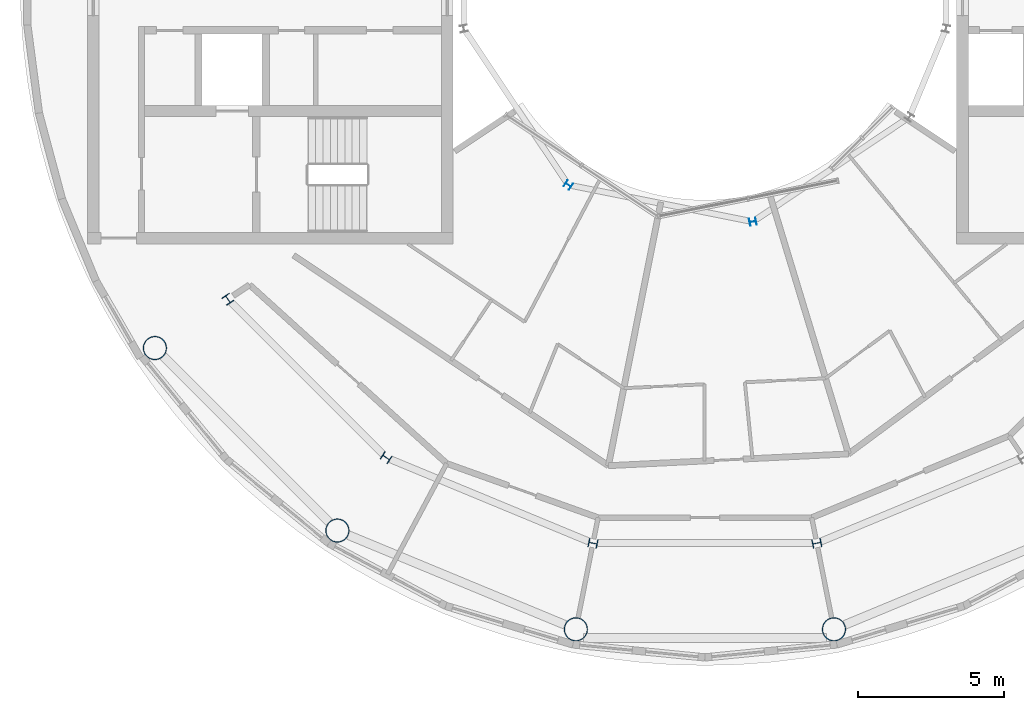
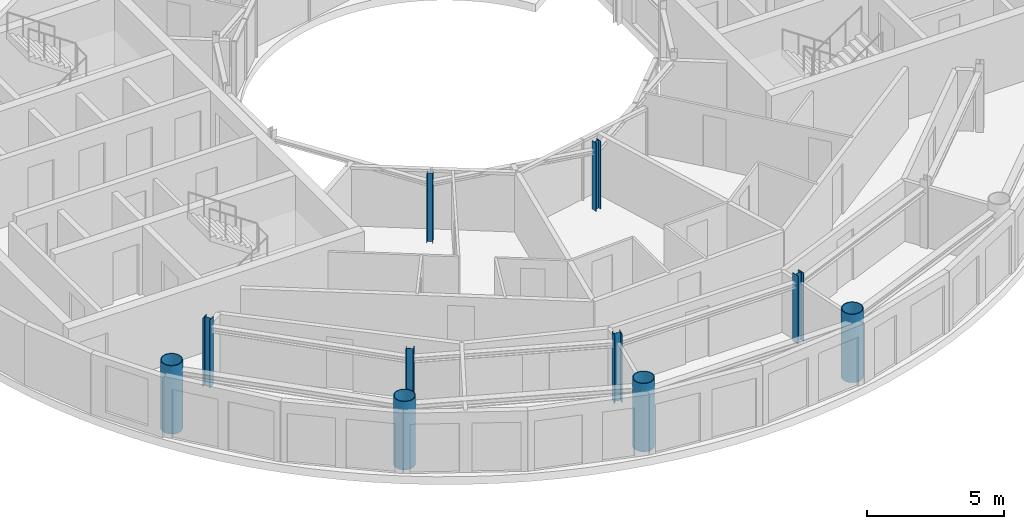
# One storey, part 1 of 17: 10 columns.
"""IFC4 building model written with IfcOpenShell, lengths in metres."""

from ifc_helpers import new_model, si_unit, direction, frame, origin, origin_2d, place, context, subcontext, project, spatial, hollow_circle, i_section, extrude, material, material_profile, profile_set, type_object, element, save


model = new_model("IFC4")

# Units and contexts
model_context = context("Model", 3, precision=1e-05, world=origin(), true_north=direction((0.0, 1.0)))
body_context = subcontext(model_context, "Body", "Model", "MODEL_VIEW")
ifc_project = project(units=[si_unit("LENGTHUNIT", "METRE"), si_unit("AREAUNIT", "SQUARE_METRE"), si_unit("VOLUMEUNIT", "CUBIC_METRE"), si_unit("PLANEANGLEUNIT", "RADIAN"), si_unit("MASSUNIT", "GRAM", prefix="KILO")], contexts=[model_context])

# Site, building, storey
site_placement = place(None, origin())
site = spatial("IfcSite", under=ifc_project, at=site_placement, CompositionType="ELEMENT")
building_placement = place(site_placement, origin())
building = spatial("IfcBuilding", under=site, at=building_placement, Name="Maasbend Ring Residences", CompositionType="ELEMENT")
storey_placement = place(building_placement, frame((0.0, 0.0, 249.300048828125)))
storey = spatial("IfcBuildingStorey", under=building, at=storey_placement, Name="L72", CompositionType="ELEMENT", Elevation=249.300048828125)

# Columns
ifc_material_1 = material(Name="Composite concrete-filled steel tube S460NH / C80/95", Category="concrete")
ifc_material_profile_1 = material_profile(ifc_material_1, hollow_circle(Radius=0.406494140625, WallThickness=0.030029296875, at=origin_2d()), Name="Composite tube column CHS 813x30")
ifc_profile_set_1 = profile_set([ifc_material_profile_1], Name="Composite concrete-filled steel tube S460NH / C80/95")
column_type_1 = type_object("IfcColumnType", Name="Composite tube column CHS 813x30", PredefinedType="COLUMN", material=ifc_profile_set_1)
for number, where, z_axis, x_axis, name in (
    (1, (-18.791259765625, -12.555908203125, 0.0), (0.0, 0.0, 1.0), (1.0, 0.0, 0.0), "Outer column R10"),
    (2, (-12.555908203125, -18.791259765625, 0.0), (0.0, 0.0, 1.0), (1.0, 0.0, 0.0), "Outer column R11"),
    (3, (-4.408935546875, -22.165771484375, 0.0), (0.0, 0.0, 1.0), (1.0, 0.0, 0.0), "Outer column R12"),
    (4, (4.408935546875, -22.165771484375, 0.0), (0.0, 0.0, 1.0), (1.0, 0.0, 0.0), "Outer column R13"),
):
    element("IfcColumn", number, at=place(storey_placement, frame(where, z_axis=z_axis, x_axis=x_axis)), inside=storey, type_object=column_type_1, Name=name, PredefinedType="COLUMN", context=body_context, shape_type="SweptSolid", body=[
        extrude(hollow_circle(Radius=0.406494140625, WallThickness=0.030029296875, at=origin_2d()), origin(), (0.0, 0.0, 1.0), 3.050048828125),
    ])
ifc_material_2 = material(Name="Steel S355J2", Category="steel")
ifc_material_profile_2 = material_profile(ifc_material_2, i_section(OverallWidth=0.239990234375, OverallDepth=0.22998046875, WebThickness=0.007568359375, FlangeThickness=0.011962890625, FilletRadius=0.02099609375, at=origin_2d()), Name="HEA 240")
ifc_profile_set_2 = profile_set([ifc_material_profile_2], Name="Steel S355J2")
column_type_2 = type_object("IfcColumnType", Name="Steel column HEA 240", PredefinedType="COLUMN", material=ifc_profile_set_2)
for number, where, z_axis, x_axis, name in (
    (5, (-4.666748046875, -6.984375, 0.0), (0.0, 0.0, 1.0), (-0.55557023302, -0.831469612303, 0.0), "Well ring column R11"),
    (6, (1.638916015625, -8.238525390625, 0.0), (0.0, 0.0, 1.0), (0.195090322016, -0.980785280403, 0.0), "Well ring column R13"),
):
    element("IfcColumn", number, at=place(storey_placement, frame(where, z_axis=z_axis, x_axis=x_axis)), inside=storey, type_object=column_type_2, Name=name, PredefinedType="COLUMN", context=body_context, shape_type="SweptSolid", body=[
        extrude(i_section(OverallWidth=0.239990234375, OverallDepth=0.22998046875, WebThickness=0.007568359375, FlangeThickness=0.011962890625, FilletRadius=0.02099609375, at=origin_2d()), origin(), (0.0, 0.0, 1.0), 3.050048828125),
    ])
ifc_material_3 = material(Name="Steel S355J2", Category="steel")
ifc_material_profile_3 = material_profile(ifc_material_3, i_section(OverallWidth=0.300048828125, OverallDepth=0.300048828125, WebThickness=0.010986328125, FlangeThickness=0.01904296875, FilletRadius=0.027099609375, at=origin_2d()), Name="HEB 300")
ifc_profile_set_3 = profile_set([ifc_material_profile_3], Name="Steel S355J2")
column_type_3 = type_object("IfcColumnType", Name="Steel column HEB 300", PredefinedType="COLUMN", material=ifc_profile_set_3)
for number, where, z_axis, x_axis, name in (
    (7, (-16.296875, -10.88916015625, 0.0), (0.0, 0.0, 1.0), (-0.831469612303, -0.55557023302, 0.0), "Corridor ring column R10"),
    (8, (-10.88916015625, -16.296875, 0.0), (0.0, 0.0, 1.0), (-0.55557023302, -0.831469612303, 0.0), "Corridor ring column R11"),
    (9, (-3.82373046875, -19.223388671875, 0.0), (0.0, 0.0, 1.0), (-0.195090322016, -0.980785280403, 0.0), "Corridor ring column R12"),
    (10, (3.82373046875, -19.223388671875, 0.0), (0.0, 0.0, 1.0), (0.195090322016, -0.980785280403, 0.0), "Corridor ring column R13"),
):
    element("IfcColumn", number, at=place(storey_placement, frame(where, z_axis=z_axis, x_axis=x_axis)), inside=storey, type_object=column_type_3, Name=name, PredefinedType="COLUMN", context=body_context, shape_type="SweptSolid", body=[
        extrude(i_section(OverallWidth=0.300048828125, OverallDepth=0.300048828125, WebThickness=0.010986328125, FlangeThickness=0.01904296875, FilletRadius=0.027099609375, at=origin_2d()), origin(), (0.0, 0.0, 1.0), 3.050048828125),
    ])

save(model, "model.ifc")
